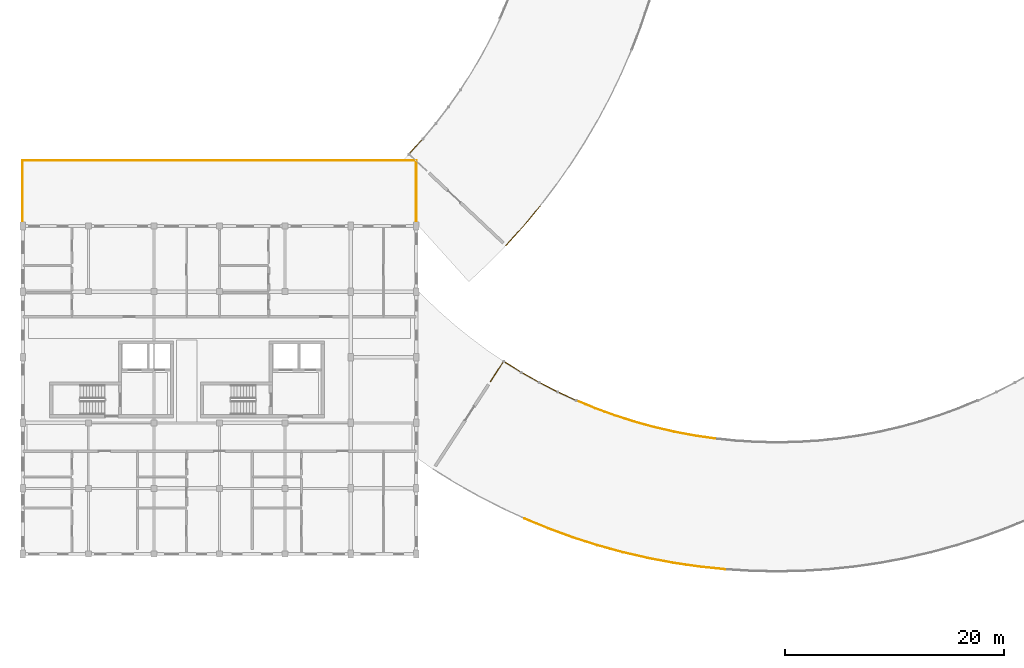
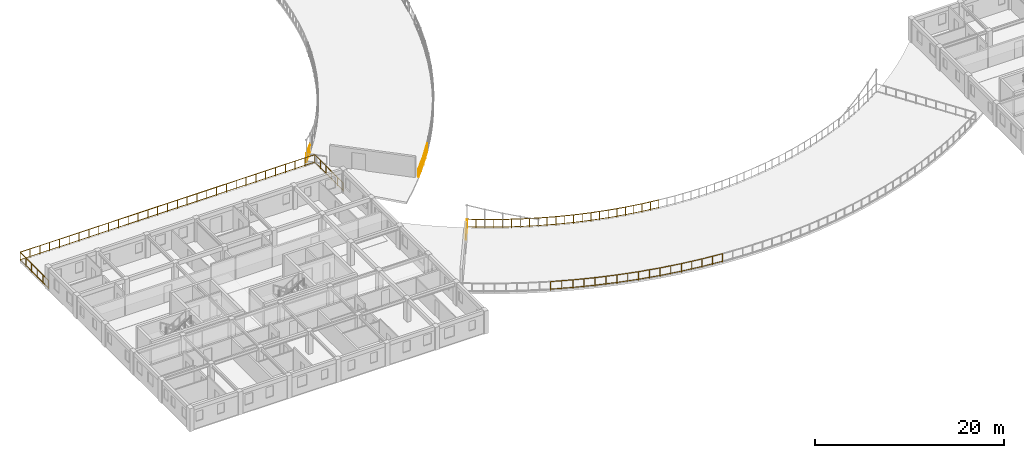
# One storey, part 50 of 58: 26 railings.
"""IFC4 building model written with IfcOpenShell, lengths in metres."""

from ifc_helpers import new_model, si_unit, direction, frame, origin, origin_2d, place, context, subcontext, project, spatial, circle, extrude, material, layer, layer_set, type_object, element, save


model = new_model("IFC4")

# Units and contexts
model_context = context("Model", 3, precision=1e-05, world=origin(), true_north=direction((0.0, 1.0)))
body_context = subcontext(model_context, "Body", "Model", "MODEL_VIEW")
ifc_project = project(units=[si_unit("LENGTHUNIT", "METRE"), si_unit("AREAUNIT", "SQUARE_METRE"), si_unit("VOLUMEUNIT", "CUBIC_METRE"), si_unit("PLANEANGLEUNIT", "RADIAN"), si_unit("MASSUNIT", "GRAM", prefix="KILO"), si_unit("POWERUNIT", "WATT"), si_unit("THERMODYNAMICTEMPERATUREUNIT", "KELVIN")], contexts=[model_context])

# Site, building, storey
site_placement = place(None, origin())
site = spatial("IfcSite", under=ifc_project, at=site_placement, CompositionType="ELEMENT")
building_placement = place(site_placement, origin())
building = spatial("IfcBuilding", under=site, at=building_placement, Name="Ruvembo Vaulted Housing Court", CompositionType="ELEMENT")
storey_placement = place(building_placement, frame((0.0, 0.0, 20.5)))
storey = spatial("IfcBuildingStorey", under=building, at=storey_placement, Name="L06", CompositionType="ELEMENT", Elevation=20.5)

# Railings
ifc_material = material(Name="Galvanised Painted Steel and Laminated Glass", Category="steel")
ifc_layer = layer(ifc_material, 0.070068359375, Name="Galvanised Painted Steel and Laminated Glass")
ifc_layer_set = layer_set([ifc_layer], Name="Galvanised Painted Steel and Laminated Glass")
railing_type = type_object("IfcRailingType", Name="RL-BALUST-1120", PredefinedType="BALUSTRADE", material=ifc_layer_set)
railing_1_placement = place(storey_placement, frame((0.0, 36.0, 0.0)))
element("IfcRailing", 1, at=railing_1_placement, inside=storey, type_object=railing_type, Name="L06 Perimeter Guard RL-EXT-L06-0001", PredefinedType="BALUSTRADE", context=body_context, shape_type="SweptSolid", body=[
    extrude(circle(Radius=0.02392578125, at=origin_2d()), frame((0.0, 0.0, 1.09619140625), z_axis=(0.0, 1.0, 0.0), x_axis=(-1.0, 0.0, 0.0)), (0.0, 0.0, 1.0), 6.0),
    extrude(circle(Radius=0.01806640625, at=origin_2d()), frame((0.0, 0.0, 0.1201171875), z_axis=(0.0, 1.0, 0.0), x_axis=(-1.0, 0.0, 0.0)), (0.0, 0.0, 1.0), 6.0),
    extrude(circle(Radius=0.02099609375, at=origin_2d()), origin(), (0.0, 0.0, 1.0), 1.072021484375),
    extrude(circle(Radius=0.02099609375, at=origin_2d()), frame((0.0, 1.199951171875, 0.0)), (0.0, 0.0, 1.0), 1.072021484375),
    extrude(circle(Radius=0.02099609375, at=origin_2d()), frame((0.0, 2.39990234375, 0.0)), (0.0, 0.0, 1.0), 1.072021484375),
    extrude(circle(Radius=0.02099609375, at=origin_2d()), frame((0.0, 3.60009765625, 0.0)), (0.0, 0.0, 1.0), 1.072021484375),
    extrude(circle(Radius=0.02099609375, at=origin_2d()), frame((0.0, 4.800048828125, 0.0)), (0.0, 0.0, 1.0), 1.072021484375),
    extrude(circle(Radius=0.02099609375, at=origin_2d()), frame((0.0, 6.0, 0.0)), (0.0, 0.0, 1.0), 1.072021484375),
])
railing_2_placement = place(storey_placement, frame((0.0, 42.0, 0.0)))
element("IfcRailing", 2, at=railing_2_placement, inside=storey, type_object=railing_type, Name="L06 Perimeter Guard RL-EXT-L06-0002", PredefinedType="BALUSTRADE", context=body_context, shape_type="SweptSolid", body=[
    extrude(circle(Radius=0.02392578125, at=origin_2d()), frame((0.0, 0.0, 1.09619140625), z_axis=(1.0, 0.0, 0.0), x_axis=(0.0, 1.0, 0.0)), (0.0, 0.0, 1.0), 36.0),
    extrude(circle(Radius=0.01806640625, at=origin_2d()), frame((0.0, 0.0, 0.1201171875), z_axis=(1.0, 0.0, 0.0), x_axis=(0.0, 1.0, 0.0)), (0.0, 0.0, 1.0), 36.0),
    extrude(circle(Radius=0.02099609375, at=origin_2d()), origin(), (0.0, 0.0, 1.0), 1.072021484375),
    extrude(circle(Radius=0.02099609375, at=origin_2d()), frame((1.199951171875, 0.0, 0.0)), (0.0, 0.0, 1.0), 1.072021484375),
    extrude(circle(Radius=0.02099609375, at=origin_2d()), frame((2.39990234375, 0.0, 0.0)), (0.0, 0.0, 1.0), 1.072021484375),
    extrude(circle(Radius=0.02099609375, at=origin_2d()), frame((3.60009765625, 0.0, 0.0)), (0.0, 0.0, 1.0), 1.072021484375),
    extrude(circle(Radius=0.02099609375, at=origin_2d()), frame((4.800048828125, 0.0, 0.0)), (0.0, 0.0, 1.0), 1.072021484375),
    extrude(circle(Radius=0.02099609375, at=origin_2d()), frame((6.0, 0.0, 0.0)), (0.0, 0.0, 1.0), 1.072021484375),
    extrude(circle(Radius=0.02099609375, at=origin_2d()), frame((7.199951171875, 0.0, 0.0)), (0.0, 0.0, 1.0), 1.072021484375),
    extrude(circle(Radius=0.02099609375, at=origin_2d()), frame((8.39990234375, 0.0, 0.0)), (0.0, 0.0, 1.0), 1.072021484375),
    extrude(circle(Radius=0.02099609375, at=origin_2d()), frame((9.60009765625, 0.0, 0.0)), (0.0, 0.0, 1.0), 1.072021484375),
    extrude(circle(Radius=0.02099609375, at=origin_2d()), frame((10.800048828125, 0.0, 0.0)), (0.0, 0.0, 1.0), 1.072021484375),
    extrude(circle(Radius=0.02099609375, at=origin_2d()), frame((12.0, 0.0, 0.0)), (0.0, 0.0, 1.0), 1.072021484375),
    extrude(circle(Radius=0.02099609375, at=origin_2d()), frame((13.199951171875, 0.0, 0.0)), (0.0, 0.0, 1.0), 1.072021484375),
    extrude(circle(Radius=0.02099609375, at=origin_2d()), frame((14.39990234375, 0.0, 0.0)), (0.0, 0.0, 1.0), 1.072021484375),
    extrude(circle(Radius=0.02099609375, at=origin_2d()), frame((15.60009765625, 0.0, 0.0)), (0.0, 0.0, 1.0), 1.072021484375),
    extrude(circle(Radius=0.02099609375, at=origin_2d()), frame((16.800048828125, 0.0, 0.0)), (0.0, 0.0, 1.0), 1.072021484375),
    extrude(circle(Radius=0.02099609375, at=origin_2d()), frame((18.0, 0.0, 0.0)), (0.0, 0.0, 1.0), 1.072021484375),
    extrude(circle(Radius=0.02099609375, at=origin_2d()), frame((19.199951171875, 0.0, 0.0)), (0.0, 0.0, 1.0), 1.072021484375),
    extrude(circle(Radius=0.02099609375, at=origin_2d()), frame((20.39990234375, 0.0, 0.0)), (0.0, 0.0, 1.0), 1.072021484375),
    extrude(circle(Radius=0.02099609375, at=origin_2d()), frame((21.60009765625, 0.0, 0.0)), (0.0, 0.0, 1.0), 1.072021484375),
    extrude(circle(Radius=0.02099609375, at=origin_2d()), frame((22.800048828125, 0.0, 0.0)), (0.0, 0.0, 1.0), 1.072021484375),
    extrude(circle(Radius=0.02099609375, at=origin_2d()), frame((24.0, 0.0, 0.0)), (0.0, 0.0, 1.0), 1.072021484375),
    extrude(circle(Radius=0.02099609375, at=origin_2d()), frame((25.199951171875, 0.0, 0.0)), (0.0, 0.0, 1.0), 1.072021484375),
    extrude(circle(Radius=0.02099609375, at=origin_2d()), frame((26.39990234375, 0.0, 0.0)), (0.0, 0.0, 1.0), 1.072021484375),
    extrude(circle(Radius=0.02099609375, at=origin_2d()), frame((27.60009765625, 0.0, 0.0)), (0.0, 0.0, 1.0), 1.072021484375),
    extrude(circle(Radius=0.02099609375, at=origin_2d()), frame((28.800048828125, 0.0, 0.0)), (0.0, 0.0, 1.0), 1.072021484375),
    extrude(circle(Radius=0.02099609375, at=origin_2d()), frame((30.0, 0.0, 0.0)), (0.0, 0.0, 1.0), 1.072021484375),
    extrude(circle(Radius=0.02099609375, at=origin_2d()), frame((31.199951171875, 0.0, 0.0)), (0.0, 0.0, 1.0), 1.072021484375),
    extrude(circle(Radius=0.02099609375, at=origin_2d()), frame((32.39990234375, 0.0, 0.0)), (0.0, 0.0, 1.0), 1.072021484375),
    extrude(circle(Radius=0.02099609375, at=origin_2d()), frame((33.60009765625, 0.0, 0.0)), (0.0, 0.0, 1.0), 1.072021484375),
    extrude(circle(Radius=0.02099609375, at=origin_2d()), frame((34.800048828125, 0.0, 0.0)), (0.0, 0.0, 1.0), 1.072021484375),
    extrude(circle(Radius=0.02099609375, at=origin_2d()), frame((36.0, 0.0, 0.0)), (0.0, 0.0, 1.0), 1.072021484375),
])
railing_3_placement = place(storey_placement, frame((36.0, 42.0, 0.0)))
element("IfcRailing", 3, at=railing_3_placement, inside=storey, type_object=railing_type, Name="L06 Perimeter Guard RL-EXT-L06-0003", PredefinedType="BALUSTRADE", context=body_context, shape_type="SweptSolid", body=[
    extrude(circle(Radius=0.02392578125, at=origin_2d()), frame((0.0, 0.0, 1.09619140625), z_axis=(0.0, -1.0, 0.0), x_axis=(1.0, 0.0, 0.0)), (0.0, 0.0, 1.0), 6.0),
    extrude(circle(Radius=0.01806640625, at=origin_2d()), frame((0.0, 0.0, 0.1201171875), z_axis=(0.0, -1.0, 0.0), x_axis=(1.0, 0.0, 0.0)), (0.0, 0.0, 1.0), 6.0),
    extrude(circle(Radius=0.02099609375, at=origin_2d()), origin(), (0.0, 0.0, 1.0), 1.072021484375),
    extrude(circle(Radius=0.02099609375, at=origin_2d()), frame((0.0, -1.199951171875, 0.0)), (0.0, 0.0, 1.0), 1.072021484375),
    extrude(circle(Radius=0.02099609375, at=origin_2d()), frame((0.0, -2.39990234375, 0.0)), (0.0, 0.0, 1.0), 1.072021484375),
    extrude(circle(Radius=0.02099609375, at=origin_2d()), frame((0.0, -3.60009765625, 0.0)), (0.0, 0.0, 1.0), 1.072021484375),
    extrude(circle(Radius=0.02099609375, at=origin_2d()), frame((0.0, -4.800048828125, 0.0)), (0.0, 0.0, 1.0), 1.072021484375),
    extrude(circle(Radius=0.02099609375, at=origin_2d()), frame((0.0, -6.0, 0.0)), (0.0, 0.0, 1.0), 1.072021484375),
])
railing_4_placement = place(storey_placement, frame((35.32958984375, 42.5869140625, 0.0)))
element("IfcRailing", 4, at=railing_4_placement, inside=storey, type_object=railing_type, Name="L06 Perimeter Guard RL-EXT-L06-0197", PredefinedType="BALUSTRADE", context=body_context, shape_type="SweptSolid", body=[
    extrude(circle(Radius=0.02392578125, at=origin_2d()), frame((0.0, 0.0, 1.09619140625), z_axis=(0.670766832997, 0.741668292265, 0.0), x_axis=(-0.741668292265, 0.670766832997, 0.0)), (0.0, 0.0, 1.0), 1.876708984375),
    extrude(circle(Radius=0.01806640625, at=origin_2d()), frame((0.0, 0.0, 0.1201171875), z_axis=(0.670766832997, 0.741668292265, 0.0), x_axis=(-0.741668292265, 0.670766832997, 0.0)), (0.0, 0.0, 1.0), 1.876708984375),
    extrude(circle(Radius=0.02099609375, at=origin_2d()), origin(), (0.0, 0.0, 1.0), 1.072021484375),
    extrude(circle(Radius=0.02099609375, at=origin_2d()), frame((0.62939453125, 0.69580078125, 0.0)), (0.0, 0.0, 1.0), 1.072021484375),
    extrude(circle(Radius=0.02099609375, at=origin_2d()), frame((1.2587890625, 1.391845703125, 0.0)), (0.0, 0.0, 1.0), 1.072021484375),
])
railing_5_placement = place(storey_placement, frame((47.32275390625, 37.80810546875, 0.0)))
element("IfcRailing", 5, at=railing_5_placement, inside=storey, type_object=railing_type, Name="L06 Perimeter Guard RL-EXT-L06-0234", PredefinedType="BALUSTRADE", context=body_context, shape_type="SweptSolid", body=[
    extrude(circle(Radius=0.02392578125, at=origin_2d()), frame((0.0, 0.0, 1.09619140625), z_axis=(-0.639871120824, -0.768482237098, 0.0), x_axis=(0.768482237098, -0.639871120824, 0.0)), (0.0, 0.0, 1.0), 2.376708984375),
    extrude(circle(Radius=0.01806640625, at=origin_2d()), frame((0.0, 0.0, 0.1201171875), z_axis=(-0.639871120824, -0.768482237098, 0.0), x_axis=(0.768482237098, -0.639871120824, 0.0)), (0.0, 0.0, 1.0), 2.376708984375),
    extrude(circle(Radius=0.02099609375, at=origin_2d()), origin(), (0.0, 0.0, 1.0), 1.072021484375),
    extrude(circle(Radius=0.02099609375, at=origin_2d()), frame((-0.76025390625, -0.9130859375, 0.0)), (0.0, 0.0, 1.0), 1.072021484375),
    extrude(circle(Radius=0.02099609375, at=origin_2d()), frame((-1.520751953125, -1.826416015625, 0.0)), (0.0, 0.0, 1.0), 1.072021484375),
])
railing_6_placement = place(storey_placement, frame((45.802001953125, 35.981689453125, 0.0)))
element("IfcRailing", 6, at=railing_6_placement, inside=storey, type_object=railing_type, Name="L06 Perimeter Guard RL-EXT-L06-0235", PredefinedType="BALUSTRADE", context=body_context, shape_type="SweptSolid", body=[
    extrude(circle(Radius=0.02392578125, at=origin_2d()), frame((0.0, 0.0, 1.09619140625), z_axis=(-0.670829931283, -0.741611221123, 0.0), x_axis=(0.741611221123, -0.670829931283, 0.0)), (0.0, 0.0, 1.0), 2.37646484375),
    extrude(circle(Radius=0.01806640625, at=origin_2d()), frame((0.0, 0.0, 0.1201171875), z_axis=(-0.670829931283, -0.741611221123, 0.0), x_axis=(0.741611221123, -0.670829931283, 0.0)), (0.0, 0.0, 1.0), 2.37646484375),
    extrude(circle(Radius=0.02099609375, at=origin_2d()), origin(), (0.0, 0.0, 1.0), 1.072021484375),
    extrude(circle(Radius=0.02099609375, at=origin_2d()), frame((-0.797119140625, -0.88134765625, 0.0)), (0.0, 0.0, 1.0), 1.072021484375),
    extrude(circle(Radius=0.02099609375, at=origin_2d()), frame((-1.59423828125, -1.762451171875, 0.0)), (0.0, 0.0, 1.0), 1.072021484375),
])
railing_7_placement = place(storey_placement, frame((42.79345703125, 21.785400390625, 0.0)))
element("IfcRailing", 7, at=railing_7_placement, inside=storey, type_object=railing_type, Name="L06 Perimeter Guard RL-EXT-L06-0496", PredefinedType="BALUSTRADE", context=body_context, shape_type="SweptSolid", body=[
    extrude(circle(Radius=0.02392578125, at=origin_2d()), frame((0.0, 0.0, 1.09619140625), z_axis=(0.546013859183, 0.837776142881, 0.0), x_axis=(-0.837776142881, 0.546013859183, 0.0)), (0.0, 0.0, 1.0), 2.199951171875),
    extrude(circle(Radius=0.01806640625, at=origin_2d()), frame((0.0, 0.0, 0.1201171875), z_axis=(0.546013859183, 0.837776142881, 0.0), x_axis=(-0.837776142881, 0.546013859183, 0.0)), (0.0, 0.0, 1.0), 2.199951171875),
    extrude(circle(Radius=0.02099609375, at=origin_2d()), origin(), (0.0, 0.0, 1.0), 1.072021484375),
    extrude(circle(Radius=0.02099609375, at=origin_2d()), frame((0.6005859375, 0.92138671875, 0.0)), (0.0, 0.0, 1.0), 1.072021484375),
    extrude(circle(Radius=0.02099609375, at=origin_2d()), frame((1.201171875, 1.843017578125, 0.0)), (0.0, 0.0, 1.0), 1.072021484375),
])
railing_8_placement = place(storey_placement, frame((43.99462890625, 23.62841796875, 0.0)))
element("IfcRailing", 8, at=railing_8_placement, inside=storey, type_object=railing_type, Name="L06 Perimeter Guard RL-EXT-L06-0497", PredefinedType="BALUSTRADE", context=body_context, shape_type="SweptSolid", body=[
    extrude(circle(Radius=0.02392578125, at=origin_2d()), frame((0.0, 0.0, 1.09619140625), z_axis=(0.848904567119, -0.52854615307, 0.0), x_axis=(0.52854615307, 0.848904567119, 0.0)), (0.0, 0.0, 1.0), 1.88916015625),
    extrude(circle(Radius=0.01806640625, at=origin_2d()), frame((0.0, 0.0, 0.1201171875), z_axis=(0.848904567119, -0.52854615307, 0.0), x_axis=(0.52854615307, 0.848904567119, 0.0)), (0.0, 0.0, 1.0), 1.88916015625),
    extrude(circle(Radius=0.02099609375, at=origin_2d()), origin(), (0.0, 0.0, 1.0), 1.072021484375),
    extrude(circle(Radius=0.02099609375, at=origin_2d()), frame((0.8017578125, -0.499267578125, 0.0)), (0.0, 0.0, 1.0), 1.072021484375),
    extrude(circle(Radius=0.02099609375, at=origin_2d()), frame((1.603759765625, -0.99853515625, 0.0)), (0.0, 0.0, 1.0), 1.072021484375),
])
railing_9_placement = place(storey_placement, frame((45.598388671875, 22.6298828125, 0.0)))
element("IfcRailing", 9, at=railing_9_placement, inside=storey, type_object=railing_type, Name="L06 Perimeter Guard RL-EXT-L06-0498", PredefinedType="BALUSTRADE", context=body_context, shape_type="SweptSolid", body=[
    extrude(circle(Radius=0.02392578125, at=origin_2d()), frame((0.0, 0.0, 1.09619140625), z_axis=(0.869955662473, -0.493129947712, 0.0), x_axis=(0.493129947712, 0.869955662473, 0.0)), (0.0, 0.0, 1.0), 1.88916015625),
    extrude(circle(Radius=0.01806640625, at=origin_2d()), frame((0.0, 0.0, 0.1201171875), z_axis=(0.869955662473, -0.493129947712, 0.0), x_axis=(0.493129947712, 0.869955662473, 0.0)), (0.0, 0.0, 1.0), 1.88916015625),
    extrude(circle(Radius=0.02099609375, at=origin_2d()), origin(), (0.0, 0.0, 1.0), 1.072021484375),
    extrude(circle(Radius=0.02099609375, at=origin_2d()), frame((0.82177734375, -0.4658203125, 0.0)), (0.0, 0.0, 1.0), 1.072021484375),
    extrude(circle(Radius=0.02099609375, at=origin_2d()), frame((1.6435546875, -0.931640625, 0.0)), (0.0, 0.0, 1.0), 1.072021484375),
])
railing_10_placement = place(storey_placement, frame((47.241943359375, 21.6982421875, 0.0)))
element("IfcRailing", 10, at=railing_10_placement, inside=storey, type_object=railing_type, Name="L06 Perimeter Guard RL-EXT-L06-0499", PredefinedType="BALUSTRADE", context=body_context, shape_type="SweptSolid", body=[
    extrude(circle(Radius=0.02392578125, at=origin_2d()), frame((0.0, 0.0, 1.09619140625), z_axis=(0.889568437347, -0.45680192127, 0.0), x_axis=(0.45680192127, 0.889568437347, 0.0)), (0.0, 0.0, 1.0), 1.889404296875),
    extrude(circle(Radius=0.01806640625, at=origin_2d()), frame((0.0, 0.0, 0.1201171875), z_axis=(0.889568437347, -0.45680192127, 0.0), x_axis=(0.45680192127, 0.889568437347, 0.0)), (0.0, 0.0, 1.0), 1.889404296875),
    extrude(circle(Radius=0.02099609375, at=origin_2d()), origin(), (0.0, 0.0, 1.0), 1.072021484375),
    extrude(circle(Radius=0.02099609375, at=origin_2d()), frame((0.84033203125, -0.431640625, 0.0)), (0.0, 0.0, 1.0), 1.072021484375),
    extrude(circle(Radius=0.02099609375, at=origin_2d()), frame((1.6806640625, -0.863037109375, 0.0)), (0.0, 0.0, 1.0), 1.072021484375),
])
railing_11_placement = place(storey_placement, frame((48.922607421875, 20.835205078125, 0.0)))
element("IfcRailing", 11, at=railing_11_placement, inside=storey, type_object=railing_type, Name="L06 Perimeter Guard RL-EXT-L06-0500", PredefinedType="BALUSTRADE", context=body_context, shape_type="SweptSolid", body=[
    extrude(circle(Radius=0.02392578125, at=origin_2d()), frame((0.0, 0.0, 1.09619140625), z_axis=(0.907656578832, -0.419713634403, 0.0), x_axis=(0.419713634403, 0.907656578832, 0.0)), (0.0, 0.0, 1.0), 1.889404296875),
    extrude(circle(Radius=0.01806640625, at=origin_2d()), frame((0.0, 0.0, 0.1201171875), z_axis=(0.907656578832, -0.419713634403, 0.0), x_axis=(0.419713634403, 0.907656578832, 0.0)), (0.0, 0.0, 1.0), 1.889404296875),
    extrude(circle(Radius=0.02099609375, at=origin_2d()), origin(), (0.0, 0.0, 1.0), 1.072021484375),
    extrude(circle(Radius=0.02099609375, at=origin_2d()), frame((0.857421875, -0.396484375, 0.0)), (0.0, 0.0, 1.0), 1.072021484375),
    extrude(circle(Radius=0.02099609375, at=origin_2d()), frame((1.71484375, -0.79296875, 0.0)), (0.0, 0.0, 1.0), 1.072021484375),
])
railing_12_placement = place(storey_placement, frame((50.637451171875, 20.042236328125, 0.0)))
element("IfcRailing", 12, at=railing_12_placement, inside=storey, type_object=railing_type, Name="L06 Perimeter Guard RL-EXT-L06-0501", PredefinedType="BALUSTRADE", context=body_context, shape_type="SweptSolid", body=[
    extrude(circle(Radius=0.02392578125, at=origin_2d()), frame((0.0, 0.0, 1.09619140625), z_axis=(0.924155321549, -0.38201693896, 0.0), x_axis=(0.38201693896, 0.924155321549, 0.0)), (0.0, 0.0, 1.0), 1.88916015625),
    extrude(circle(Radius=0.01806640625, at=origin_2d()), frame((0.0, 0.0, 0.1201171875), z_axis=(0.924155321549, -0.38201693896, 0.0), x_axis=(0.38201693896, 0.924155321549, 0.0)), (0.0, 0.0, 1.0), 1.88916015625),
    extrude(circle(Radius=0.02099609375, at=origin_2d()), origin(), (0.0, 0.0, 1.0), 1.072021484375),
    extrude(circle(Radius=0.02099609375, at=origin_2d()), frame((0.873046875, -0.36083984375, 0.0)), (0.0, 0.0, 1.0), 1.072021484375),
    extrude(circle(Radius=0.02099609375, at=origin_2d()), frame((1.745849609375, -0.7216796875, 0.0)), (0.0, 0.0, 1.0), 1.072021484375),
])
railing_13_placement = place(storey_placement, frame((52.38330078125, 19.320556640625, 0.0)))
element("IfcRailing", 13, at=railing_13_placement, inside=storey, type_object=railing_type, Name="L06 Perimeter Guard RL-EXT-L06-0502", PredefinedType="BALUSTRADE", context=body_context, shape_type="SweptSolid", body=[
    extrude(circle(Radius=0.02392578125, at=origin_2d()), frame((0.0, 0.0, 1.09619140625), z_axis=(0.939165556371, -0.343464783824, 0.0), x_axis=(0.343464783824, 0.939165556371, 0.0)), (0.0, 0.0, 1.0), 1.889404296875),
    extrude(circle(Radius=0.01806640625, at=origin_2d()), frame((0.0, 0.0, 0.1201171875), z_axis=(0.939165556371, -0.343464783824, 0.0), x_axis=(0.343464783824, 0.939165556371, 0.0)), (0.0, 0.0, 1.0), 1.889404296875),
    extrude(circle(Radius=0.02099609375, at=origin_2d()), origin(), (0.0, 0.0, 1.0), 1.072021484375),
    extrude(circle(Radius=0.02099609375, at=origin_2d()), frame((0.88720703125, -0.324462890625, 0.0)), (0.0, 0.0, 1.0), 1.072021484375),
    extrude(circle(Radius=0.02099609375, at=origin_2d()), frame((1.7744140625, -0.64892578125, 0.0)), (0.0, 0.0, 1.0), 1.072021484375),
])
railing_14_placement = place(storey_placement, frame((54.15771484375, 18.671630859375, 0.0)))
element("IfcRailing", 14, at=railing_14_placement, inside=storey, type_object=railing_type, Name="L06 Perimeter Guard RL-EXT-L06-0503", PredefinedType="BALUSTRADE", context=body_context, shape_type="SweptSolid", body=[
    extrude(circle(Radius=0.02392578125, at=origin_2d()), frame((0.0, 0.0, 1.09619140625), z_axis=(0.952526124364, -0.304456864605, 0.0), x_axis=(0.304456864605, 0.952526124364, 0.0)), (0.0, 0.0, 1.0), 1.88916015625),
    extrude(circle(Radius=0.01806640625, at=origin_2d()), frame((0.0, 0.0, 0.1201171875), z_axis=(0.952526124364, -0.304456864605, 0.0), x_axis=(0.304456864605, 0.952526124364, 0.0)), (0.0, 0.0, 1.0), 1.88916015625),
    extrude(circle(Radius=0.02099609375, at=origin_2d()), origin(), (0.0, 0.0, 1.0), 1.072021484375),
    extrude(circle(Radius=0.02099609375, at=origin_2d()), frame((0.89990234375, -0.28759765625, 0.0)), (0.0, 0.0, 1.0), 1.072021484375),
    extrude(circle(Radius=0.02099609375, at=origin_2d()), frame((1.799560546875, -0.5751953125, 0.0)), (0.0, 0.0, 1.0), 1.072021484375),
])
railing_15_placement = place(storey_placement, frame((55.957275390625, 18.096435546875, 0.0)))
element("IfcRailing", 15, at=railing_15_placement, inside=storey, type_object=railing_type, Name="L06 Perimeter Guard RL-EXT-L06-0504", PredefinedType="BALUSTRADE", context=body_context, shape_type="SweptSolid", body=[
    extrude(circle(Radius=0.02392578125, at=origin_2d()), frame((0.0, 0.0, 1.09619140625), z_axis=(0.964240073493, -0.26503033915, 0.0), x_axis=(0.26503033915, 0.964240073493, 0.0)), (0.0, 0.0, 1.0), 1.889404296875),
    extrude(circle(Radius=0.01806640625, at=origin_2d()), frame((0.0, 0.0, 0.1201171875), z_axis=(0.964240073493, -0.26503033915, 0.0), x_axis=(0.26503033915, 0.964240073493, 0.0)), (0.0, 0.0, 1.0), 1.889404296875),
    extrude(circle(Radius=0.02099609375, at=origin_2d()), origin(), (0.0, 0.0, 1.0), 1.072021484375),
    extrude(circle(Radius=0.02099609375, at=origin_2d()), frame((0.910888671875, -0.25048828125, 0.0)), (0.0, 0.0, 1.0), 1.072021484375),
    extrude(circle(Radius=0.02099609375, at=origin_2d()), frame((1.82177734375, -0.500732421875, 0.0)), (0.0, 0.0, 1.0), 1.072021484375),
])
railing_16_placement = place(storey_placement, frame((57.779052734375, 17.595703125, 0.0)))
element("IfcRailing", 16, at=railing_16_placement, inside=storey, type_object=railing_type, Name="L06 Perimeter Guard RL-EXT-L06-0505", PredefinedType="BALUSTRADE", context=body_context, shape_type="SweptSolid", body=[
    extrude(circle(Radius=0.02392578125, at=origin_2d()), frame((0.0, 0.0, 1.09619140625), z_axis=(0.974391195695, -0.224859506699, 0.0), x_axis=(0.224859506699, 0.974391195695, 0.0)), (0.0, 0.0, 1.0), 1.88916015625),
    extrude(circle(Radius=0.01806640625, at=origin_2d()), frame((0.0, 0.0, 0.1201171875), z_axis=(0.974391195695, -0.224859506699, 0.0), x_axis=(0.224859506699, 0.974391195695, 0.0)), (0.0, 0.0, 1.0), 1.88916015625),
    extrude(circle(Radius=0.02099609375, at=origin_2d()), origin(), (0.0, 0.0, 1.0), 1.072021484375),
    extrude(circle(Radius=0.02099609375, at=origin_2d()), frame((0.92041015625, -0.21240234375, 0.0)), (0.0, 0.0, 1.0), 1.072021484375),
    extrude(circle(Radius=0.02099609375, at=origin_2d()), frame((1.8408203125, -0.4248046875, 0.0)), (0.0, 0.0, 1.0), 1.072021484375),
])
railing_17_placement = place(storey_placement, frame((59.619873046875, 17.1708984375, 0.0)))
element("IfcRailing", 17, at=railing_17_placement, inside=storey, type_object=railing_type, Name="L06 Perimeter Guard RL-EXT-L06-0506", PredefinedType="BALUSTRADE", context=body_context, shape_type="SweptSolid", body=[
    extrude(circle(Radius=0.02392578125, at=origin_2d()), frame((0.0, 0.0, 1.09619140625), z_axis=(0.982804832401, -0.184647397515, 0.0), x_axis=(0.184647397515, 0.982804832401, 0.0)), (0.0, 0.0, 1.0), 1.889404296875),
    extrude(circle(Radius=0.01806640625, at=origin_2d()), frame((0.0, 0.0, 0.1201171875), z_axis=(0.982804832401, -0.184647397515, 0.0), x_axis=(0.184647397515, 0.982804832401, 0.0)), (0.0, 0.0, 1.0), 1.889404296875),
    extrude(circle(Radius=0.02099609375, at=origin_2d()), origin(), (0.0, 0.0, 1.0), 1.072021484375),
    extrude(circle(Radius=0.02099609375, at=origin_2d()), frame((0.928466796875, -0.17431640625, 0.0)), (0.0, 0.0, 1.0), 1.072021484375),
    extrude(circle(Radius=0.02099609375, at=origin_2d()), frame((1.85693359375, -0.348876953125, 0.0)), (0.0, 0.0, 1.0), 1.072021484375),
])
railing_18_placement = place(storey_placement, frame((61.476806640625, 16.822021484375, 0.0)))
element("IfcRailing", 18, at=railing_18_placement, inside=storey, type_object=railing_type, Name="L06 Perimeter Guard RL-EXT-L06-0507", PredefinedType="BALUSTRADE", context=body_context, shape_type="SweptSolid", body=[
    extrude(circle(Radius=0.02392578125, at=origin_2d()), frame((0.0, 0.0, 1.09619140625), z_axis=(0.989600158039, -0.143845497701, 0.0), x_axis=(0.143845497701, 0.989600158039, 0.0)), (0.0, 0.0, 1.0), 1.888916015625),
    extrude(circle(Radius=0.01806640625, at=origin_2d()), frame((0.0, 0.0, 0.1201171875), z_axis=(0.989600158039, -0.143845497701, 0.0), x_axis=(0.143845497701, 0.989600158039, 0.0)), (0.0, 0.0, 1.0), 1.888916015625),
    extrude(circle(Radius=0.02099609375, at=origin_2d()), origin(), (0.0, 0.0, 1.0), 1.072021484375),
    extrude(circle(Radius=0.02099609375, at=origin_2d()), frame((0.9345703125, -0.1357421875, 0.0)), (0.0, 0.0, 1.0), 1.072021484375),
    extrude(circle(Radius=0.02099609375, at=origin_2d()), frame((1.869384765625, -0.271728515625, 0.0)), (0.0, 0.0, 1.0), 1.072021484375),
])
railing_19_placement = place(storey_placement, frame((64.2529296875, 4.595947265625, 0.0)))
element("IfcRailing", 19, at=railing_19_placement, inside=storey, type_object=railing_type, Name="L06 Perimeter Guard RL-EXT-L06-0542", PredefinedType="BALUSTRADE", context=body_context, shape_type="SweptSolid", body=[
    extrude(circle(Radius=0.02392578125, at=origin_2d()), frame((0.0, 0.0, 1.09619140625), z_axis=(-0.994685263749, 0.102962255607, 0.0), x_axis=(-0.102962255607, -0.994685263749, 0.0)), (0.0, 0.0, 1.0), 2.3759765625),
    extrude(circle(Radius=0.01806640625, at=origin_2d()), frame((0.0, 0.0, 0.1201171875), z_axis=(-0.994685263749, 0.102962255607, 0.0), x_axis=(-0.102962255607, -0.994685263749, 0.0)), (0.0, 0.0, 1.0), 2.3759765625),
    extrude(circle(Radius=0.02099609375, at=origin_2d()), origin(), (0.0, 0.0, 1.0), 1.072021484375),
    extrude(circle(Radius=0.02099609375, at=origin_2d()), frame((-1.181640625, 0.122314453125, 0.0)), (0.0, 0.0, 1.0), 1.072021484375),
    extrude(circle(Radius=0.02099609375, at=origin_2d()), frame((-2.36328125, 0.24462890625, 0.0)), (0.0, 0.0, 1.0), 1.072021484375),
])
railing_20_placement = place(storey_placement, frame((61.8896484375, 4.840576171875, 0.0)))
element("IfcRailing", 20, at=railing_20_placement, inside=storey, type_object=railing_type, Name="L06 Perimeter Guard RL-EXT-L06-0543", PredefinedType="BALUSTRADE", context=body_context, shape_type="SweptSolid", body=[
    extrude(circle(Radius=0.02392578125, at=origin_2d()), frame((0.0, 0.0, 1.09619140625), z_axis=(-0.989599208634, 0.143852029082, 0.0), x_axis=(-0.143852029082, -0.989599208634, 0.0)), (0.0, 0.0, 1.0), 2.3759765625),
    extrude(circle(Radius=0.01806640625, at=origin_2d()), frame((0.0, 0.0, 0.1201171875), z_axis=(-0.989599208634, 0.143852029082, 0.0), x_axis=(-0.143852029082, -0.989599208634, 0.0)), (0.0, 0.0, 1.0), 2.3759765625),
    extrude(circle(Radius=0.02099609375, at=origin_2d()), origin(), (0.0, 0.0, 1.0), 1.072021484375),
    extrude(circle(Radius=0.02099609375, at=origin_2d()), frame((-1.17578125, 0.1708984375, 0.0)), (0.0, 0.0, 1.0), 1.072021484375),
    extrude(circle(Radius=0.02099609375, at=origin_2d()), frame((-2.351318359375, 0.341796875, 0.0)), (0.0, 0.0, 1.0), 1.072021484375),
])
railing_21_placement = place(storey_placement, frame((59.538330078125, 5.182373046875, 0.0)))
element("IfcRailing", 21, at=railing_21_placement, inside=storey, type_object=railing_type, Name="L06 Perimeter Guard RL-EXT-L06-0544", PredefinedType="BALUSTRADE", context=body_context, shape_type="SweptSolid", body=[
    extrude(circle(Radius=0.02392578125, at=origin_2d()), frame((0.0, 0.0, 1.09619140625), z_axis=(-0.982805820353, 0.184642138962, 0.0), x_axis=(-0.184642138962, -0.982805820353, 0.0)), (0.0, 0.0, 1.0), 2.3759765625),
    extrude(circle(Radius=0.01806640625, at=origin_2d()), frame((0.0, 0.0, 0.1201171875), z_axis=(-0.982805820353, 0.184642138962, 0.0), x_axis=(-0.184642138962, -0.982805820353, 0.0)), (0.0, 0.0, 1.0), 2.3759765625),
    extrude(circle(Radius=0.02099609375, at=origin_2d()), origin(), (0.0, 0.0, 1.0), 1.072021484375),
    extrude(circle(Radius=0.02099609375, at=origin_2d()), frame((-1.16748046875, 0.21923828125, 0.0)), (0.0, 0.0, 1.0), 1.072021484375),
    extrude(circle(Radius=0.02099609375, at=origin_2d()), frame((-2.335205078125, 0.438720703125, 0.0)), (0.0, 0.0, 1.0), 1.072021484375),
])
railing_22_placement = place(storey_placement, frame((57.203125, 5.62109375, 0.0)))
element("IfcRailing", 22, at=railing_22_placement, inside=storey, type_object=railing_type, Name="L06 Perimeter Guard RL-EXT-L06-0545", PredefinedType="BALUSTRADE", context=body_context, shape_type="SweptSolid", body=[
    extrude(circle(Radius=0.02392578125, at=origin_2d()), frame((0.0, 0.0, 1.09619140625), z_axis=(-0.974377339926, 0.224919539924, 0.0), x_axis=(-0.224919539924, -0.974377339926, 0.0)), (0.0, 0.0, 1.0), 2.3759765625),
    extrude(circle(Radius=0.01806640625, at=origin_2d()), frame((0.0, 0.0, 0.1201171875), z_axis=(-0.974377339926, 0.224919539924, 0.0), x_axis=(-0.224919539924, -0.974377339926, 0.0)), (0.0, 0.0, 1.0), 2.3759765625),
    extrude(circle(Radius=0.02099609375, at=origin_2d()), origin(), (0.0, 0.0, 1.0), 1.072021484375),
    extrude(circle(Radius=0.02099609375, at=origin_2d()), frame((-1.15771484375, 0.26708984375, 0.0)), (0.0, 0.0, 1.0), 1.072021484375),
    extrude(circle(Radius=0.02099609375, at=origin_2d()), frame((-2.315185546875, 0.534423828125, 0.0)), (0.0, 0.0, 1.0), 1.072021484375),
])
railing_23_placement = place(storey_placement, frame((54.887939453125, 6.155517578125, 0.0)))
element("IfcRailing", 23, at=railing_23_placement, inside=storey, type_object=railing_type, Name="L06 Perimeter Guard RL-EXT-L06-0546", PredefinedType="BALUSTRADE", context=body_context, shape_type="SweptSolid", body=[
    extrude(circle(Radius=0.02392578125, at=origin_2d()), frame((0.0, 0.0, 1.09619140625), z_axis=(-0.964273666592, 0.264908089565, 0.0), x_axis=(-0.264908089565, -0.964273666592, 0.0)), (0.0, 0.0, 1.0), 2.3759765625),
    extrude(circle(Radius=0.01806640625, at=origin_2d()), frame((0.0, 0.0, 0.1201171875), z_axis=(-0.964273666592, 0.264908089565, 0.0), x_axis=(-0.264908089565, -0.964273666592, 0.0)), (0.0, 0.0, 1.0), 2.3759765625),
    extrude(circle(Radius=0.02099609375, at=origin_2d()), origin(), (0.0, 0.0, 1.0), 1.072021484375),
    extrude(circle(Radius=0.02099609375, at=origin_2d()), frame((-1.1455078125, 0.314697265625, 0.0)), (0.0, 0.0, 1.0), 1.072021484375),
    extrude(circle(Radius=0.02099609375, at=origin_2d()), frame((-2.291015625, 0.62939453125, 0.0)), (0.0, 0.0, 1.0), 1.072021484375),
])
railing_24_placement = place(storey_placement, frame((52.596923828125, 6.784912109375, 0.0)))
element("IfcRailing", 24, at=railing_24_placement, inside=storey, type_object=railing_type, Name="L06 Perimeter Guard RL-EXT-L06-0547", PredefinedType="BALUSTRADE", context=body_context, shape_type="SweptSolid", body=[
    extrude(circle(Radius=0.02392578125, at=origin_2d()), frame((0.0, 0.0, 1.09619140625), z_axis=(-0.952525505826, 0.304458799759, 0.0), x_axis=(-0.304458799759, -0.952525505826, 0.0)), (0.0, 0.0, 1.0), 2.3759765625),
    extrude(circle(Radius=0.01806640625, at=origin_2d()), frame((0.0, 0.0, 0.1201171875), z_axis=(-0.952525505826, 0.304458799759, 0.0), x_axis=(-0.304458799759, -0.952525505826, 0.0)), (0.0, 0.0, 1.0), 2.3759765625),
    extrude(circle(Radius=0.02099609375, at=origin_2d()), origin(), (0.0, 0.0, 1.0), 1.072021484375),
    extrude(circle(Radius=0.02099609375, at=origin_2d()), frame((-1.131591796875, 0.36181640625, 0.0)), (0.0, 0.0, 1.0), 1.072021484375),
    extrude(circle(Radius=0.02099609375, at=origin_2d()), frame((-2.26318359375, 0.723388671875, 0.0)), (0.0, 0.0, 1.0), 1.072021484375),
])
railing_25_placement = place(storey_placement, frame((50.333740234375, 7.50830078125, 0.0)))
element("IfcRailing", 25, at=railing_25_placement, inside=storey, type_object=railing_type, Name="L06 Perimeter Guard RL-EXT-L06-0548", PredefinedType="BALUSTRADE", context=body_context, shape_type="SweptSolid", body=[
    extrude(circle(Radius=0.02392578125, at=origin_2d()), frame((0.0, 0.0, 1.09619140625), z_axis=(-0.939119617609, 0.343590372132, 0.0), x_axis=(-0.343590372132, -0.939119617609, 0.0)), (0.0, 0.0, 1.0), 2.376220703125),
    extrude(circle(Radius=0.01806640625, at=origin_2d()), frame((0.0, 0.0, 0.1201171875), z_axis=(-0.939119617609, 0.343590372132, 0.0), x_axis=(-0.343590372132, -0.939119617609, 0.0)), (0.0, 0.0, 1.0), 2.376220703125),
    extrude(circle(Radius=0.02099609375, at=origin_2d()), origin(), (0.0, 0.0, 1.0), 1.072021484375),
    extrude(circle(Radius=0.02099609375, at=origin_2d()), frame((-1.11572265625, 0.408203125, 0.0)), (0.0, 0.0, 1.0), 1.072021484375),
    extrude(circle(Radius=0.02099609375, at=origin_2d()), frame((-2.2314453125, 0.81640625, 0.0)), (0.0, 0.0, 1.0), 1.072021484375),
])
railing_26_placement = place(storey_placement, frame((48.102294921875, 8.32470703125, 0.0)))
element("IfcRailing", 26, at=railing_26_placement, inside=storey, type_object=railing_type, Name="L06 Perimeter Guard RL-EXT-L06-0549", PredefinedType="BALUSTRADE", context=body_context, shape_type="SweptSolid", body=[
    extrude(circle(Radius=0.02392578125, at=origin_2d()), frame((0.0, 0.0, 1.09619140625), z_axis=(-0.924185741563, 0.381943340159, 0.0), x_axis=(-0.381943340159, -0.924185741563, 0.0)), (0.0, 0.0, 1.0), 2.3759765625),
    extrude(circle(Radius=0.01806640625, at=origin_2d()), frame((0.0, 0.0, 0.1201171875), z_axis=(-0.924185741563, 0.381943340159, 0.0), x_axis=(-0.381943340159, -0.924185741563, 0.0)), (0.0, 0.0, 1.0), 2.3759765625),
    extrude(circle(Radius=0.02099609375, at=origin_2d()), origin(), (0.0, 0.0, 1.0), 1.072021484375),
    extrude(circle(Radius=0.02099609375, at=origin_2d()), frame((-1.097900390625, 0.45361328125, 0.0)), (0.0, 0.0, 1.0), 1.072021484375),
    extrude(circle(Radius=0.02099609375, at=origin_2d()), frame((-2.19580078125, 0.907470703125, 0.0)), (0.0, 0.0, 1.0), 1.072021484375),
])

save(model, "model.ifc")
